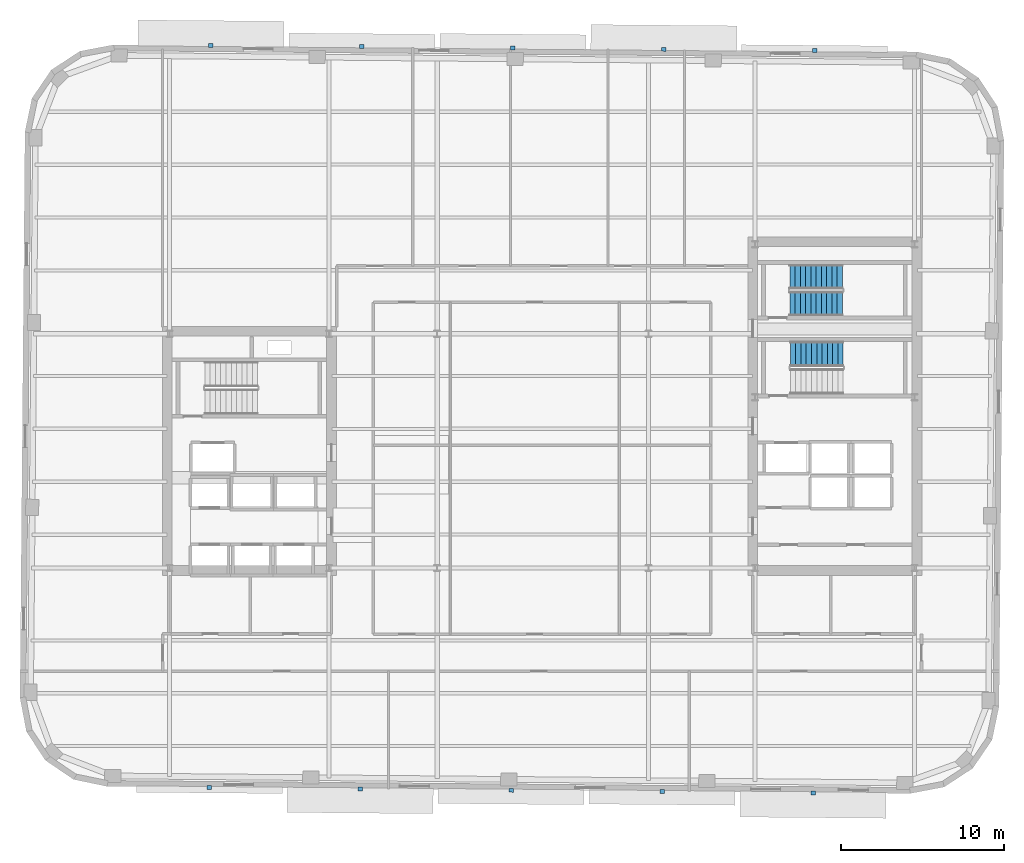
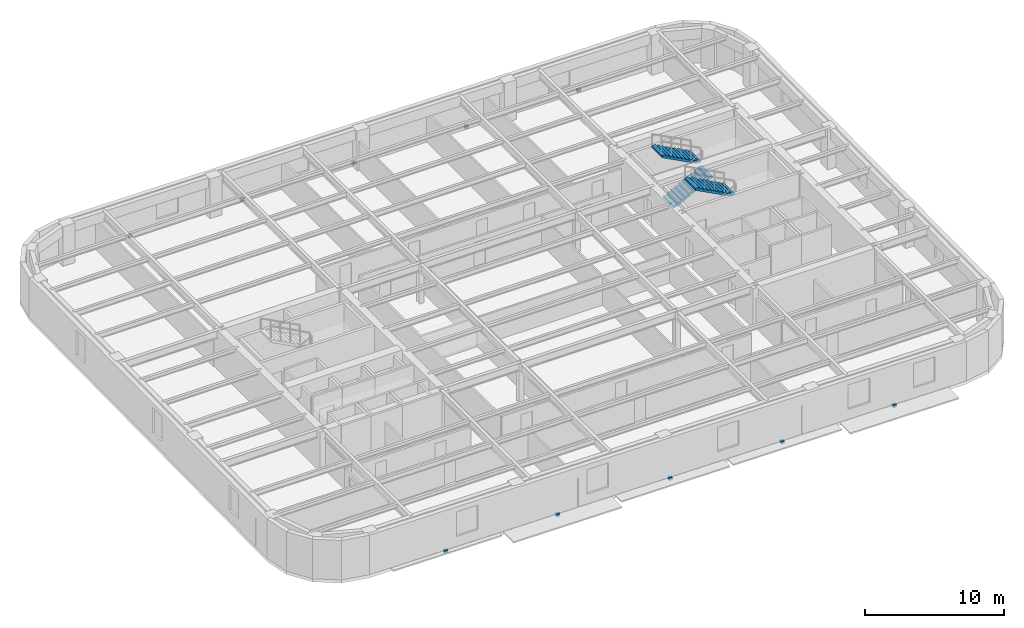
# One storey, part 7 of 11: 10 discrete accessories, 3 stair flights, 2 elements without a shape of their own.
"""IFC4 building model written with IfcOpenShell, lengths in metres."""

from ifc_helpers import new_model, si_unit, direction, frame, origin, origin_2d, place, context, subcontext, project, spatial, polyline, rectangle, outline, extrude, material, type_object, element, aggregate, save


model = new_model("IFC4")

# Units and contexts
model_context = context("Model", 3, precision=1e-05, world=origin(), true_north=direction((0.0, 1.0)))
body_context = subcontext(model_context, "Body", "Model", "MODEL_VIEW")
ifc_project = project(units=[si_unit("LENGTHUNIT", "METRE"), si_unit("AREAUNIT", "SQUARE_METRE"), si_unit("VOLUMEUNIT", "CUBIC_METRE"), si_unit("PLANEANGLEUNIT", "RADIAN"), si_unit("MASSUNIT", "GRAM", prefix="KILO")], contexts=[model_context])

# Site, building, storey
site_placement = place(None, origin())
site = spatial("IfcSite", under=ifc_project, at=site_placement, CompositionType="ELEMENT")
building_placement = place(site_placement, origin())
building = spatial("IfcBuilding", under=site, at=building_placement, Name="Kolvaren Arena Tower", CompositionType="ELEMENT")
storey_placement = place(building_placement, frame((0.0, 0.0, 169.699951171875)))
storey = spatial("IfcBuildingStorey", under=building, at=storey_placement, Name="L40", CompositionType="ELEMENT", Elevation=169.699951171875)

# Stair, stair flights
ifc_material_1 = material(Name="Concrete 45 MPa", Category="concrete")
stair_type_1 = type_object("IfcStairType", Name="STAIR-CORE-150", PredefinedType="HALF_TURN_STAIR", material=ifc_material_1)
stair_1_placement = place(storey_placement, origin())
stair_1 = element("IfcStair", 1, at=stair_1_placement, inside=storey, type_object=stair_type_1, Name="L40 ST-E2", PredefinedType="HALF_TURN_STAIR")
stair_flight_type_1 = type_object("IfcStairFlightType", Name="FLT-150", PredefinedType="STRAIGHT", material=ifc_material_1)
stair_flight_1_placement = place(storey_placement, frame((52.679931640625, 35.699951171875, 0.0), z_axis=(0.0, 0.0, 1.0), x_axis=(1.0, 0.0, 0.0)))
stair_flight_1 = element("IfcStairFlight", 2, at=stair_flight_1_placement, type_object=stair_flight_type_1, Name="ST-E2 flight 1", NumberOfRisers=11, NumberOfTreads=10, PredefinedType="STRAIGHT", RiserHeight=0.170454545, TreadLength=0.324, context=body_context, shape_type="SweptSolid", body=[
    extrude(outline(polyline([(0.0, 0.0), (0.0, 0.17041015625), (0.323974609375, 0.17041015625), (0.323974609375, 0.3408203125), (0.64794921875, 0.3408203125), (0.64794921875, 0.511474609375), (0.971923828125, 0.511474609375), (0.971923828125, 0.681884765625), (1.2958984375, 0.681884765625), (1.2958984375, 0.852294921875), (1.6201171875, 0.852294921875), (1.6201171875, 1.022705078125), (1.944091796875, 1.022705078125), (1.944091796875, 1.193115234375), (2.26806640625, 1.193115234375), (2.26806640625, 1.363525390625), (2.592041015625, 1.363525390625), (2.592041015625, 1.5341796875), (2.916015625, 1.5341796875), (2.916015625, 1.70458984375), (3.239990234375, 1.70458984375), (3.239990234375, 1.875), (3.239990234375, 1.53515625), (0.322021484375, 0.0), (0.0, 0.0)])), frame((0.0, 0.75, 0.0), z_axis=(0.0, -1.0, 0.0), x_axis=(1.0, 0.0, 0.0)), (0.0, 0.0, 1.0), 1.5),
])
stair_flight_2_placement = place(storey_placement, frame((55.919921875, 37.35009765625, 1.875), z_axis=(0.0, 0.0, 1.0), x_axis=(-1.0, 0.0, 0.0)))
stair_flight_2 = element("IfcStairFlight", 3, at=stair_flight_2_placement, type_object=stair_flight_type_1, Name="ST-E2 flight 2", NumberOfRisers=11, NumberOfTreads=10, PredefinedType="STRAIGHT", RiserHeight=0.170454545, TreadLength=0.324, context=body_context, shape_type="SweptSolid", body=[
    extrude(outline(polyline([(0.0, 0.0), (0.0, 0.17041015625), (0.323974609375, 0.17041015625), (0.323974609375, 0.3408203125), (0.64794921875, 0.3408203125), (0.64794921875, 0.511474609375), (0.971923828125, 0.511474609375), (0.971923828125, 0.681884765625), (1.2958984375, 0.681884765625), (1.2958984375, 0.852294921875), (1.6201171875, 0.852294921875), (1.6201171875, 1.022705078125), (1.944091796875, 1.022705078125), (1.944091796875, 1.193115234375), (2.26806640625, 1.193115234375), (2.26806640625, 1.363525390625), (2.592041015625, 1.363525390625), (2.592041015625, 1.5341796875), (2.916015625, 1.5341796875), (2.916015625, 1.70458984375), (3.239990234375, 1.70458984375), (3.239990234375, 1.875), (3.239990234375, 1.53515625), (0.322021484375, 0.0), (0.0, 0.0)])), frame((0.0, 0.75, 0.0), z_axis=(0.0, -1.0, 0.0), x_axis=(1.0, 0.0, 0.0)), (0.0, 0.0, 1.0), 1.5),
])
aggregate(stair_1, [stair_flight_1, stair_flight_2])

# Stair, stair flight
stair_type_2 = type_object("IfcStairType", Name="STAIR-CORE-165", PredefinedType="HALF_TURN_STAIR", material=ifc_material_1)
stair_2_placement = place(storey_placement, origin())
stair_2 = element("IfcStair", 4, at=stair_2_placement, inside=storey, type_object=stair_type_2, Name="L40 ST-E1", PredefinedType="HALF_TURN_STAIR")
stair_flight_type_2 = type_object("IfcStairFlightType", Name="FLT-165", PredefinedType="STRAIGHT", material=ifc_material_1)
stair_flight_3_placement = place(storey_placement, frame((55.9599609375, 32.610107421875, 1.875), z_axis=(0.0, 0.0, 1.0), x_axis=(-1.0, 0.0, 0.0)))
stair_flight_3 = element("IfcStairFlight", 5, at=stair_flight_3_placement, type_object=stair_flight_type_2, Name="ST-E1 flight 2", NumberOfRisers=11, NumberOfTreads=10, PredefinedType="STRAIGHT", RiserHeight=0.170454545, TreadLength=0.324, context=body_context, shape_type="SweptSolid", body=[
    extrude(outline(polyline([(0.0, 0.0), (0.0, 0.17041015625), (0.323974609375, 0.17041015625), (0.323974609375, 0.3408203125), (0.64794921875, 0.3408203125), (0.64794921875, 0.511474609375), (0.971923828125, 0.511474609375), (0.971923828125, 0.681884765625), (1.2958984375, 0.681884765625), (1.2958984375, 0.852294921875), (1.6201171875, 0.852294921875), (1.6201171875, 1.022705078125), (1.944091796875, 1.022705078125), (1.944091796875, 1.193115234375), (2.26806640625, 1.193115234375), (2.26806640625, 1.363525390625), (2.592041015625, 1.363525390625), (2.592041015625, 1.5341796875), (2.916015625, 1.5341796875), (2.916015625, 1.70458984375), (3.239990234375, 1.70458984375), (3.239990234375, 1.875), (3.239990234375, 1.53515625), (0.322021484375, 0.0), (0.0, 0.0)])), frame((0.0, 0.77001953125, 0.0), z_axis=(0.0, -1.0, 0.0), x_axis=(1.0, 0.0, 0.0)), (0.0, 0.0, 1.0), 1.5400390625),
])
aggregate(stair_2, [stair_flight_3])

# Discrete accessories
ifc_material_2 = material(Name="Stainless steel facade support bracket", Category="steel")
discrete_accessory_type = type_object("IfcDiscreteAccessoryType", Name="ACC-BRKT-1", PredefinedType="BRACKET", material=ifc_material_2)
for number, where, z_axis, x_axis, name in (
    (6, (17.08984375, 51.58251953125, -0.18017578125), (0.0, 0.0, 1.0), (0.999961923064, -0.008726535498, 0.0), "Sunshade Support Bracket (L40)"),
    (7, (26.369384765625, 51.50146484375, -0.18017578125), (0.0, 0.0, 1.0), (0.999961923064, -0.008726535498, 0.0), "Sunshade Support Bracket (L40)"),
    (8, (35.649169921875, 51.42041015625, -0.18017578125), (0.0, 0.0, 1.0), (0.999961923064, -0.008726535498, 0.0), "Sunshade Support Bracket (L40)"),
    (9, (44.9287109375, 51.339599609375, -0.18017578125), (0.0, 0.0, 1.0), (0.999961923064, -0.008726535498, 0.0), "Sunshade Support Bracket (L40)"),
    (10, (54.20849609375, 51.258544921875, -0.18017578125), (0.0, 0.0, 1.0), (0.999961923064, -0.008726535498, 0.0), "Sunshade Support Bracket (L40)"),
    (11, (54.110107421875, 5.61767578125, -0.18017578125), (0.0, 0.0, 1.0), (-0.999961923064, 0.008726535498, 0.0), "Sunshade Support Bracket (L40)"),
    (12, (44.83056640625, 5.698486328125, -0.18017578125), (0.0, 0.0, 1.0), (-0.999961923064, 0.008726535498, 0.0), "Sunshade Support Bracket (L40)"),
    (13, (35.55078125, 5.779541015625, -0.18017578125), (0.0, 0.0, 1.0), (-0.999961923064, 0.008726535498, 0.0), "Sunshade Support Bracket (L40)"),
    (14, (26.271240234375, 5.860595703125, -0.18017578125), (0.0, 0.0, 1.0), (-0.999961923064, 0.008726535498, 0.0), "Sunshade Support Bracket (L40)"),
    (15, (16.99169921875, 5.94140625, -0.18017578125), (0.0, 0.0, 1.0), (-0.999961923064, 0.008726535498, 0.0), "Sunshade Support Bracket (L40)"),
):
    element("IfcDiscreteAccessory", number, at=place(storey_placement, frame(where, z_axis=z_axis, x_axis=x_axis)), inside=storey, type_object=discrete_accessory_type, Name=name, PredefinedType="BRACKET", context=body_context, shape_type="SweptSolid", body=[
        extrude(rectangle(XDim=0.280029296875, YDim=0.239990234375, at=origin_2d()), origin(), (0.0, 0.0, 1.0), 0.239990234375),
    ])

save(model, "model.ifc")
